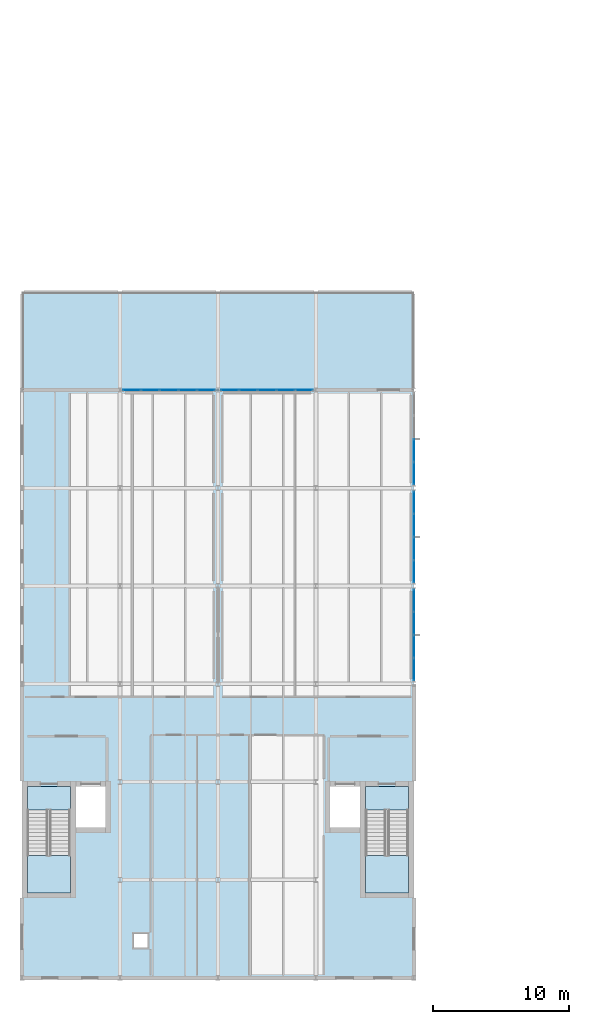
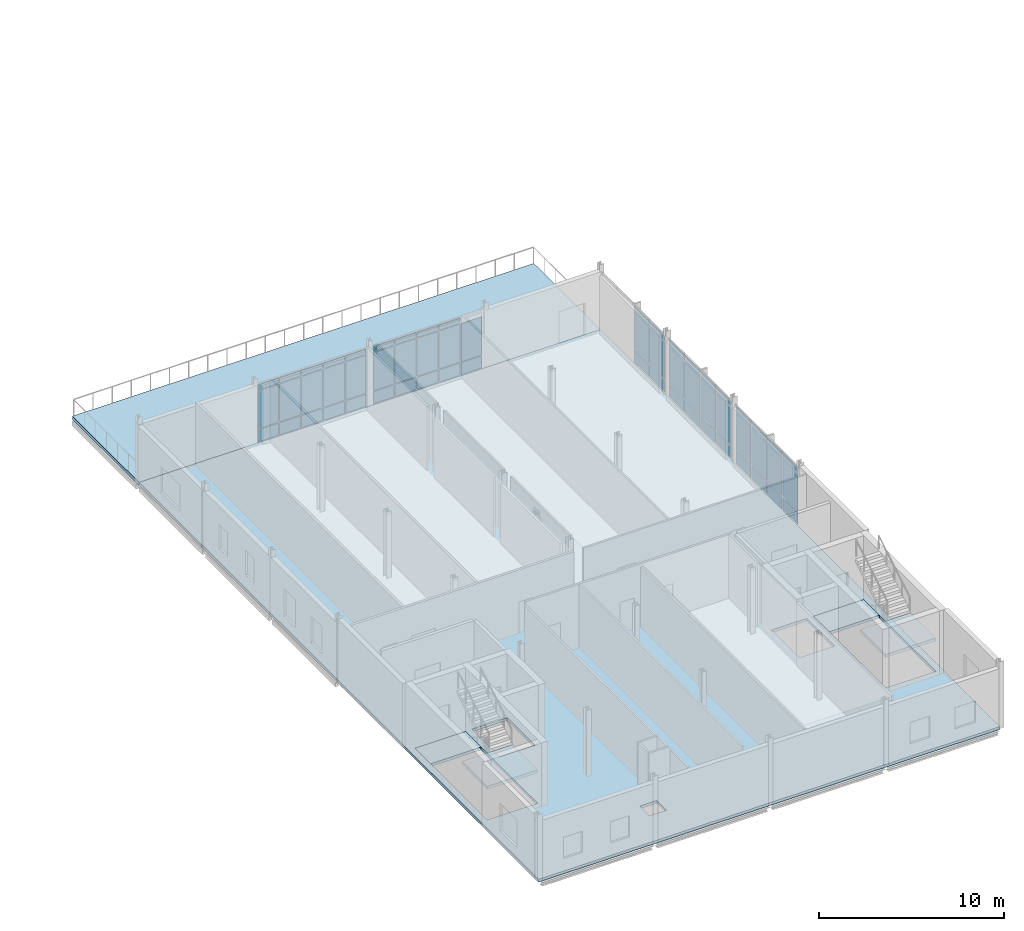
# One storey, part 11 of 21: 59 plates, 6 slabs, 7 elements without a shape of their own.
"""IFC4 building model written with IfcOpenShell, lengths in metres."""

from ifc_helpers import new_model, si_unit, direction, frame, origin, origin_2d, place, context, subcontext, project, spatial, polyline, rectangle, outline, extrude, material, layer, layer_set, type_object, element, aggregate, save


model = new_model("IFC4")

# Units and contexts
model_context = context("Model", 3, precision=1e-05, world=origin(), true_north=direction((0.0, 1.0)))
body_context = subcontext(model_context, "Body", "Model", "MODEL_VIEW")
ifc_project = project(units=[si_unit("LENGTHUNIT", "METRE"), si_unit("AREAUNIT", "SQUARE_METRE"), si_unit("VOLUMEUNIT", "CUBIC_METRE"), si_unit("PLANEANGLEUNIT", "RADIAN"), si_unit("MASSUNIT", "GRAM", prefix="KILO")], contexts=[model_context])

# Site, building, storey
site_placement = place(None, origin())
site = spatial("IfcSite", under=ifc_project, at=site_placement, CompositionType="ELEMENT")
building_placement = place(site_placement, origin())
building = spatial("IfcBuilding", under=site, at=building_placement, Name="Zarrinpeak Specialist Clinic", CompositionType="ELEMENT")
storey_placement = place(building_placement, frame((0.0, 0.0, 22.800048828125)))
storey = spatial("IfcBuildingStorey", under=building, at=storey_placement, Name="L05", CompositionType="ELEMENT", Elevation=22.800048828125)

# Curtain wall, plates
ifc_material_1 = material(Name="Anodised Aluminium Alloy 6063-T6", Category="aluminium")
ifc_layer_1 = layer(ifc_material_1, 0.1650390625)
ifc_layer_set_1 = layer_set([ifc_layer_1], Name="Anodised Aluminium Alloy 6063-T6")
curtain_wall_type_1 = type_object("IfcCurtainWallType", Name="CW-CLINIC", PredefinedType="NOTDEFINED", material=ifc_layer_set_1)
curtain_wall_1_placement = place(storey_placement, origin())
curtain_wall_1 = element("IfcCurtainWall", 1, at=curtain_wall_1_placement, inside=storey, type_object=curtain_wall_type_1, Name="L05 V1 Unitised Curtain Wall CW-L05-V1-031", PredefinedType="NOTDEFINED")
ifc_material_2 = material(Name="Double Low-E Insulated Glazing", Category="glass")
ifc_layer_2 = layer(ifc_material_2, 0.028076171875)
ifc_layer_set_2 = layer_set([ifc_layer_2], Name="Double Low-E Insulated Glazing")
plate_type = type_object("IfcPlateType", Name="CWP-GLZ28", PredefinedType="CURTAIN_PANEL", material=ifc_layer_set_2)
plate_1_placement = place(storey_placement, frame((13.529296875, 43.199951171875, 0.074951171875), z_axis=(0.0, 0.0, 1.0), x_axis=(-1.0, 0.0, 0.0)))
plate_1 = element("IfcPlate", 2, at=plate_1_placement, type_object=plate_type, Name="CW-03 panel 1.1", PredefinedType="CURTAIN_PANEL", context=body_context, shape_type="SweptSolid", body=[
    extrude(rectangle(XDim=1.261474609375, YDim=0.028076171875, at=origin_2d()), origin(), (0.0, 0.0, 1.0), 0.78759765625),
])
plate_2_placement = place(storey_placement, frame((13.529296875, 43.199951171875, 0.9375), z_axis=(0.0, 0.0, 1.0), x_axis=(-1.0, 0.0, 0.0)))
plate_2 = element("IfcPlate", 3, at=plate_2_placement, type_object=plate_type, Name="CW-03 panel 1.2", PredefinedType="CURTAIN_PANEL", context=body_context, shape_type="SweptSolid", body=[
    extrude(rectangle(XDim=1.261474609375, YDim=0.028076171875, at=origin_2d()), origin(), (0.0, 0.0, 1.0), 2.489990234375),
])
plate_3_placement = place(storey_placement, frame((13.529296875, 43.199951171875, 3.50244140625), z_axis=(0.0, 0.0, 1.0), x_axis=(-1.0, 0.0, 0.0)))
plate_3 = element("IfcPlate", 4, at=plate_3_placement, type_object=plate_type, Name="CW-03 panel 1.3", PredefinedType="CURTAIN_PANEL", context=body_context, shape_type="SweptSolid", body=[
    extrude(rectangle(XDim=1.261474609375, YDim=0.028076171875, at=origin_2d()), origin(), (0.0, 0.0, 1.0), 0.33740234375),
])
plate_4_placement = place(storey_placement, frame((12.174072265625, 43.199951171875, 0.074951171875), z_axis=(0.0, 0.0, 1.0), x_axis=(-1.0, 0.0, 0.0)))
plate_4 = element("IfcPlate", 5, at=plate_4_placement, type_object=plate_type, Name="CW-03 panel 2.1", PredefinedType="CURTAIN_PANEL", context=body_context, shape_type="SweptSolid", body=[
    extrude(rectangle(XDim=1.299072265625, YDim=0.028076171875, at=origin_2d()), origin(), (0.0, 0.0, 1.0), 0.78759765625),
])
plate_5_placement = place(storey_placement, frame((12.174072265625, 43.199951171875, 0.9375), z_axis=(0.0, 0.0, 1.0), x_axis=(-1.0, 0.0, 0.0)))
plate_5 = element("IfcPlate", 6, at=plate_5_placement, type_object=plate_type, Name="CW-03 panel 2.2", PredefinedType="CURTAIN_PANEL", context=body_context, shape_type="SweptSolid", body=[
    extrude(rectangle(XDim=1.299072265625, YDim=0.028076171875, at=origin_2d()), origin(), (0.0, 0.0, 1.0), 2.489990234375),
])
plate_6_placement = place(storey_placement, frame((12.174072265625, 43.199951171875, 3.50244140625), z_axis=(0.0, 0.0, 1.0), x_axis=(-1.0, 0.0, 0.0)))
plate_6 = element("IfcPlate", 7, at=plate_6_placement, type_object=plate_type, Name="CW-03 panel 2.3", PredefinedType="CURTAIN_PANEL", context=body_context, shape_type="SweptSolid", body=[
    extrude(rectangle(XDim=1.299072265625, YDim=0.028076171875, at=origin_2d()), origin(), (0.0, 0.0, 1.0), 0.33740234375),
])
plate_7_placement = place(storey_placement, frame((10.800048828125, 43.199951171875, 0.074951171875), z_axis=(0.0, 0.0, 1.0), x_axis=(-1.0, 0.0, 0.0)))
plate_7 = element("IfcPlate", 8, at=plate_7_placement, type_object=plate_type, Name="CW-03 panel 3.1", PredefinedType="CURTAIN_PANEL", context=body_context, shape_type="SweptSolid", body=[
    extrude(rectangle(XDim=1.299072265625, YDim=0.028076171875, at=origin_2d()), origin(), (0.0, 0.0, 1.0), 0.78759765625),
])
plate_8_placement = place(storey_placement, frame((10.800048828125, 43.199951171875, 0.9375), z_axis=(0.0, 0.0, 1.0), x_axis=(-1.0, 0.0, 0.0)))
plate_8 = element("IfcPlate", 9, at=plate_8_placement, type_object=plate_type, Name="CW-03 panel 3.2", PredefinedType="CURTAIN_PANEL", context=body_context, shape_type="SweptSolid", body=[
    extrude(rectangle(XDim=1.299072265625, YDim=0.028076171875, at=origin_2d()), origin(), (0.0, 0.0, 1.0), 2.489990234375),
])
plate_9_placement = place(storey_placement, frame((10.800048828125, 43.199951171875, 3.50244140625), z_axis=(0.0, 0.0, 1.0), x_axis=(-1.0, 0.0, 0.0)))
plate_9 = element("IfcPlate", 10, at=plate_9_placement, type_object=plate_type, Name="CW-03 panel 3.3", PredefinedType="CURTAIN_PANEL", context=body_context, shape_type="SweptSolid", body=[
    extrude(rectangle(XDim=1.299072265625, YDim=0.028076171875, at=origin_2d()), origin(), (0.0, 0.0, 1.0), 0.33740234375),
])
plate_10_placement = place(storey_placement, frame((9.426025390625, 43.199951171875, 0.074951171875), z_axis=(0.0, 0.0, 1.0), x_axis=(-1.0, 0.0, 0.0)))
plate_10 = element("IfcPlate", 11, at=plate_10_placement, type_object=plate_type, Name="CW-03 panel 4.1", PredefinedType="CURTAIN_PANEL", context=body_context, shape_type="SweptSolid", body=[
    extrude(rectangle(XDim=1.299072265625, YDim=0.028076171875, at=origin_2d()), origin(), (0.0, 0.0, 1.0), 0.78759765625),
])
plate_11_placement = place(storey_placement, frame((9.426025390625, 43.199951171875, 0.9375), z_axis=(0.0, 0.0, 1.0), x_axis=(-1.0, 0.0, 0.0)))
plate_11 = element("IfcPlate", 12, at=plate_11_placement, type_object=plate_type, Name="CW-03 panel 4.2", PredefinedType="CURTAIN_PANEL", context=body_context, shape_type="SweptSolid", body=[
    extrude(rectangle(XDim=1.299072265625, YDim=0.028076171875, at=origin_2d()), origin(), (0.0, 0.0, 1.0), 2.489990234375),
])
plate_12_placement = place(storey_placement, frame((9.426025390625, 43.199951171875, 3.50244140625), z_axis=(0.0, 0.0, 1.0), x_axis=(-1.0, 0.0, 0.0)))
plate_12 = element("IfcPlate", 13, at=plate_12_placement, type_object=plate_type, Name="CW-03 panel 4.3", PredefinedType="CURTAIN_PANEL", context=body_context, shape_type="SweptSolid", body=[
    extrude(rectangle(XDim=1.299072265625, YDim=0.028076171875, at=origin_2d()), origin(), (0.0, 0.0, 1.0), 0.33740234375),
])
plate_13_placement = place(storey_placement, frame((8.07080078125, 43.199951171875, 0.074951171875), z_axis=(0.0, 0.0, 1.0), x_axis=(-1.0, 0.0, 0.0)))
plate_13 = element("IfcPlate", 14, at=plate_13_placement, type_object=plate_type, Name="CW-03 panel 5.1", PredefinedType="CURTAIN_PANEL", context=body_context, shape_type="SweptSolid", body=[
    extrude(rectangle(XDim=1.261474609375, YDim=0.028076171875, at=origin_2d()), origin(), (0.0, 0.0, 1.0), 0.78759765625),
])
plate_14_placement = place(storey_placement, frame((8.07080078125, 43.199951171875, 0.9375), z_axis=(0.0, 0.0, 1.0), x_axis=(-1.0, 0.0, 0.0)))
plate_14 = element("IfcPlate", 15, at=plate_14_placement, type_object=plate_type, Name="CW-03 panel 5.2", PredefinedType="CURTAIN_PANEL", context=body_context, shape_type="SweptSolid", body=[
    extrude(rectangle(XDim=1.261474609375, YDim=0.028076171875, at=origin_2d()), origin(), (0.0, 0.0, 1.0), 2.489990234375),
])
plate_15_placement = place(storey_placement, frame((8.07080078125, 43.199951171875, 3.50244140625), z_axis=(0.0, 0.0, 1.0), x_axis=(-1.0, 0.0, 0.0)))
plate_15 = element("IfcPlate", 16, at=plate_15_placement, type_object=plate_type, Name="CW-03 panel 5.3", PredefinedType="CURTAIN_PANEL", context=body_context, shape_type="SweptSolid", body=[
    extrude(rectangle(XDim=1.261474609375, YDim=0.028076171875, at=origin_2d()), origin(), (0.0, 0.0, 1.0), 0.33740234375),
])
aggregate(curtain_wall_1, [plate_1, plate_2, plate_3, plate_4, plate_5, plate_6, plate_7, plate_8, plate_9, plate_10, plate_11, plate_12, plate_13, plate_14, plate_15])

curtain_wall_2_placement = place(storey_placement, origin())
curtain_wall_2 = element("IfcCurtainWall", 17, at=curtain_wall_2_placement, inside=storey, type_object=curtain_wall_type_1, Name="L05 V1 Unitised Curtain Wall CW-L05-V1-032", PredefinedType="NOTDEFINED")
plate_16_placement = place(storey_placement, frame((20.729248046875, 43.199951171875, 0.074951171875), z_axis=(0.0, 0.0, 1.0), x_axis=(-1.0, 0.0, 0.0)))
plate_16 = element("IfcPlate", 18, at=plate_16_placement, type_object=plate_type, Name="CW-03 panel 1.1", PredefinedType="CURTAIN_PANEL", context=body_context, shape_type="SweptSolid", body=[
    extrude(rectangle(XDim=1.261474609375, YDim=0.028076171875, at=origin_2d()), origin(), (0.0, 0.0, 1.0), 0.78759765625),
])
plate_17_placement = place(storey_placement, frame((20.729248046875, 43.199951171875, 0.9375), z_axis=(0.0, 0.0, 1.0), x_axis=(-1.0, 0.0, 0.0)))
plate_17 = element("IfcPlate", 19, at=plate_17_placement, type_object=plate_type, Name="CW-03 panel 1.2", PredefinedType="CURTAIN_PANEL", context=body_context, shape_type="SweptSolid", body=[
    extrude(rectangle(XDim=1.261474609375, YDim=0.028076171875, at=origin_2d()), origin(), (0.0, 0.0, 1.0), 2.489990234375),
])
plate_18_placement = place(storey_placement, frame((19.3740234375, 43.199951171875, 0.074951171875), z_axis=(0.0, 0.0, 1.0), x_axis=(-1.0, 0.0, 0.0)))
plate_18 = element("IfcPlate", 20, at=plate_18_placement, type_object=plate_type, Name="CW-03 panel 2.1", PredefinedType="CURTAIN_PANEL", context=body_context, shape_type="SweptSolid", body=[
    extrude(rectangle(XDim=1.299072265625, YDim=0.028076171875, at=origin_2d()), origin(), (0.0, 0.0, 1.0), 0.78759765625),
])
plate_19_placement = place(storey_placement, frame((19.3740234375, 43.199951171875, 0.9375), z_axis=(0.0, 0.0, 1.0), x_axis=(-1.0, 0.0, 0.0)))
plate_19 = element("IfcPlate", 21, at=plate_19_placement, type_object=plate_type, Name="CW-03 panel 2.2", PredefinedType="CURTAIN_PANEL", context=body_context, shape_type="SweptSolid", body=[
    extrude(rectangle(XDim=1.299072265625, YDim=0.028076171875, at=origin_2d()), origin(), (0.0, 0.0, 1.0), 2.489990234375),
])
plate_20_placement = place(storey_placement, frame((19.3740234375, 43.199951171875, 3.50244140625), z_axis=(0.0, 0.0, 1.0), x_axis=(-1.0, 0.0, 0.0)))
plate_20 = element("IfcPlate", 22, at=plate_20_placement, type_object=plate_type, Name="CW-03 panel 2.3", PredefinedType="CURTAIN_PANEL", context=body_context, shape_type="SweptSolid", body=[
    extrude(rectangle(XDim=1.299072265625, YDim=0.028076171875, at=origin_2d()), origin(), (0.0, 0.0, 1.0), 0.33740234375),
])
plate_21_placement = place(storey_placement, frame((18.0, 43.199951171875, 0.074951171875), z_axis=(0.0, 0.0, 1.0), x_axis=(-1.0, 0.0, 0.0)))
plate_21 = element("IfcPlate", 23, at=plate_21_placement, type_object=plate_type, Name="CW-03 panel 3.1", PredefinedType="CURTAIN_PANEL", context=body_context, shape_type="SweptSolid", body=[
    extrude(rectangle(XDim=1.299072265625, YDim=0.028076171875, at=origin_2d()), origin(), (0.0, 0.0, 1.0), 0.78759765625),
])
plate_22_placement = place(storey_placement, frame((18.0, 43.199951171875, 0.9375), z_axis=(0.0, 0.0, 1.0), x_axis=(-1.0, 0.0, 0.0)))
plate_22 = element("IfcPlate", 24, at=plate_22_placement, type_object=plate_type, Name="CW-03 panel 3.2", PredefinedType="CURTAIN_PANEL", context=body_context, shape_type="SweptSolid", body=[
    extrude(rectangle(XDim=1.299072265625, YDim=0.028076171875, at=origin_2d()), origin(), (0.0, 0.0, 1.0), 2.489990234375),
])
plate_23_placement = place(storey_placement, frame((18.0, 43.199951171875, 3.50244140625), z_axis=(0.0, 0.0, 1.0), x_axis=(-1.0, 0.0, 0.0)))
plate_23 = element("IfcPlate", 25, at=plate_23_placement, type_object=plate_type, Name="CW-03 panel 3.3", PredefinedType="CURTAIN_PANEL", context=body_context, shape_type="SweptSolid", body=[
    extrude(rectangle(XDim=1.299072265625, YDim=0.028076171875, at=origin_2d()), origin(), (0.0, 0.0, 1.0), 0.33740234375),
])
plate_24_placement = place(storey_placement, frame((16.6259765625, 43.199951171875, 0.074951171875), z_axis=(0.0, 0.0, 1.0), x_axis=(-1.0, 0.0, 0.0)))
plate_24 = element("IfcPlate", 26, at=plate_24_placement, type_object=plate_type, Name="CW-03 panel 4.1", PredefinedType="CURTAIN_PANEL", context=body_context, shape_type="SweptSolid", body=[
    extrude(rectangle(XDim=1.299072265625, YDim=0.028076171875, at=origin_2d()), origin(), (0.0, 0.0, 1.0), 0.78759765625),
])
plate_25_placement = place(storey_placement, frame((16.6259765625, 43.199951171875, 0.9375), z_axis=(0.0, 0.0, 1.0), x_axis=(-1.0, 0.0, 0.0)))
plate_25 = element("IfcPlate", 27, at=plate_25_placement, type_object=plate_type, Name="CW-03 panel 4.2", PredefinedType="CURTAIN_PANEL", context=body_context, shape_type="SweptSolid", body=[
    extrude(rectangle(XDim=1.299072265625, YDim=0.028076171875, at=origin_2d()), origin(), (0.0, 0.0, 1.0), 2.489990234375),
])
plate_26_placement = place(storey_placement, frame((16.6259765625, 43.199951171875, 3.50244140625), z_axis=(0.0, 0.0, 1.0), x_axis=(-1.0, 0.0, 0.0)))
plate_26 = element("IfcPlate", 28, at=plate_26_placement, type_object=plate_type, Name="CW-03 panel 4.3", PredefinedType="CURTAIN_PANEL", context=body_context, shape_type="SweptSolid", body=[
    extrude(rectangle(XDim=1.299072265625, YDim=0.028076171875, at=origin_2d()), origin(), (0.0, 0.0, 1.0), 0.33740234375),
])
plate_27_placement = place(storey_placement, frame((15.270751953125, 43.199951171875, 0.074951171875), z_axis=(0.0, 0.0, 1.0), x_axis=(-1.0, 0.0, 0.0)))
plate_27 = element("IfcPlate", 29, at=plate_27_placement, type_object=plate_type, Name="CW-03 panel 5.1", PredefinedType="CURTAIN_PANEL", context=body_context, shape_type="SweptSolid", body=[
    extrude(rectangle(XDim=1.261474609375, YDim=0.028076171875, at=origin_2d()), origin(), (0.0, 0.0, 1.0), 0.78759765625),
])
plate_28_placement = place(storey_placement, frame((15.270751953125, 43.199951171875, 0.9375), z_axis=(0.0, 0.0, 1.0), x_axis=(-1.0, 0.0, 0.0)))
plate_28 = element("IfcPlate", 30, at=plate_28_placement, type_object=plate_type, Name="CW-03 panel 5.2", PredefinedType="CURTAIN_PANEL", context=body_context, shape_type="SweptSolid", body=[
    extrude(rectangle(XDim=1.261474609375, YDim=0.028076171875, at=origin_2d()), origin(), (0.0, 0.0, 1.0), 2.489990234375),
])
plate_29_placement = place(storey_placement, frame((15.270751953125, 43.199951171875, 3.50244140625), z_axis=(0.0, 0.0, 1.0), x_axis=(-1.0, 0.0, 0.0)))
plate_29 = element("IfcPlate", 31, at=plate_29_placement, type_object=plate_type, Name="CW-03 panel 5.3", PredefinedType="CURTAIN_PANEL", context=body_context, shape_type="SweptSolid", body=[
    extrude(rectangle(XDim=1.261474609375, YDim=0.028076171875, at=origin_2d()), origin(), (0.0, 0.0, 1.0), 0.33740234375),
])
aggregate(curtain_wall_2, [plate_16, plate_17, plate_18, plate_19, plate_20, plate_21, plate_22, plate_23, plate_24, plate_25, plate_26, plate_27, plate_28, plate_29])

ifc_layer_3 = layer(ifc_material_1, 0.179931640625)
ifc_layer_set_3 = layer_set([ifc_layer_3], Name="Anodised Aluminium Alloy 6063-T6")
curtain_wall_type_2 = type_object("IfcCurtainWallType", Name="CW-COURT", PredefinedType="NOTDEFINED", material=ifc_layer_set_3)
curtain_wall_3_placement = place(storey_placement, origin())
curtain_wall_3 = element("IfcCurtainWall", 32, at=curtain_wall_3_placement, inside=storey, type_object=curtain_wall_type_2, Name="L05 V1 Unitised Curtain Wall CW-L05-V1-033", PredefinedType="NOTDEFINED")
plate_30_placement = place(storey_placement, frame((28.800048828125, 22.657470703125, 0.074951171875), z_axis=(0.0, 0.0, 1.0), x_axis=(0.0, 1.0, 0.0)))
plate_30 = element("IfcPlate", 33, at=plate_30_placement, type_object=plate_type, Name="CW-01 panel 1.1", PredefinedType="CURTAIN_PANEL", context=body_context, shape_type="SweptSolid", body=[
    extrude(rectangle(XDim=1.594970703125, YDim=0.028076171875, at=origin_2d()), origin(), (0.0, 0.0, 1.0), 0.78759765625),
])
plate_31_placement = place(storey_placement, frame((28.800048828125, 22.657470703125, 0.9375), z_axis=(0.0, 0.0, 1.0), x_axis=(0.0, 1.0, 0.0)))
plate_31 = element("IfcPlate", 34, at=plate_31_placement, type_object=plate_type, Name="CW-01 panel 1.2", PredefinedType="CURTAIN_PANEL", context=body_context, shape_type="SweptSolid", body=[
    extrude(rectangle(XDim=1.594970703125, YDim=0.028076171875, at=origin_2d()), origin(), (0.0, 0.0, 1.0), 2.47509765625),
])
plate_32_placement = place(storey_placement, frame((28.800048828125, 22.657470703125, 3.487548828125), z_axis=(0.0, 0.0, 1.0), x_axis=(0.0, 1.0, 0.0)))
plate_32 = element("IfcPlate", 35, at=plate_32_placement, type_object=plate_type, Name="CW-01 panel 1.3", PredefinedType="CURTAIN_PANEL", context=body_context, shape_type="SweptSolid", body=[
    extrude(rectangle(XDim=1.594970703125, YDim=0.028076171875, at=origin_2d()), origin(), (0.0, 0.0, 1.0), 0.33740234375),
])
plate_33_placement = place(storey_placement, frame((28.800048828125, 24.34619140625, 0.074951171875), z_axis=(0.0, 0.0, 1.0), x_axis=(0.0, 1.0, 0.0)))
plate_33 = element("IfcPlate", 36, at=plate_33_placement, type_object=plate_type, Name="CW-01 panel 2.1", PredefinedType="CURTAIN_PANEL", context=body_context, shape_type="SweptSolid", body=[
    extrude(rectangle(XDim=1.632568359375, YDim=0.028076171875, at=origin_2d()), origin(), (0.0, 0.0, 1.0), 0.78759765625),
])
plate_34_placement = place(storey_placement, frame((28.800048828125, 24.34619140625, 0.9375), z_axis=(0.0, 0.0, 1.0), x_axis=(0.0, 1.0, 0.0)))
plate_34 = element("IfcPlate", 37, at=plate_34_placement, type_object=plate_type, Name="CW-01 panel 2.2", PredefinedType="CURTAIN_PANEL", context=body_context, shape_type="SweptSolid", body=[
    extrude(rectangle(XDim=1.632568359375, YDim=0.028076171875, at=origin_2d()), origin(), (0.0, 0.0, 1.0), 2.47509765625),
])
plate_35_placement = place(storey_placement, frame((28.800048828125, 24.34619140625, 3.487548828125), z_axis=(0.0, 0.0, 1.0), x_axis=(0.0, 1.0, 0.0)))
plate_35 = element("IfcPlate", 38, at=plate_35_placement, type_object=plate_type, Name="CW-01 panel 2.3", PredefinedType="CURTAIN_PANEL", context=body_context, shape_type="SweptSolid", body=[
    extrude(rectangle(XDim=1.632568359375, YDim=0.028076171875, at=origin_2d()), origin(), (0.0, 0.0, 1.0), 0.33740234375),
])
plate_36_placement = place(storey_placement, frame((28.800048828125, 26.0537109375, 0.074951171875), z_axis=(0.0, 0.0, 1.0), x_axis=(0.0, 1.0, 0.0)))
plate_36 = element("IfcPlate", 39, at=plate_36_placement, type_object=plate_type, Name="CW-01 panel 3.1", PredefinedType="CURTAIN_PANEL", context=body_context, shape_type="SweptSolid", body=[
    extrude(rectangle(XDim=1.632568359375, YDim=0.028076171875, at=origin_2d()), origin(), (0.0, 0.0, 1.0), 0.78759765625),
])
plate_37_placement = place(storey_placement, frame((28.800048828125, 26.0537109375, 0.9375), z_axis=(0.0, 0.0, 1.0), x_axis=(0.0, 1.0, 0.0)))
plate_37 = element("IfcPlate", 40, at=plate_37_placement, type_object=plate_type, Name="CW-01 panel 3.2", PredefinedType="CURTAIN_PANEL", context=body_context, shape_type="SweptSolid", body=[
    extrude(rectangle(XDim=1.632568359375, YDim=0.028076171875, at=origin_2d()), origin(), (0.0, 0.0, 1.0), 2.47509765625),
])
plate_38_placement = place(storey_placement, frame((28.800048828125, 26.0537109375, 3.487548828125), z_axis=(0.0, 0.0, 1.0), x_axis=(0.0, 1.0, 0.0)))
plate_38 = element("IfcPlate", 41, at=plate_38_placement, type_object=plate_type, Name="CW-01 panel 3.3", PredefinedType="CURTAIN_PANEL", context=body_context, shape_type="SweptSolid", body=[
    extrude(rectangle(XDim=1.632568359375, YDim=0.028076171875, at=origin_2d()), origin(), (0.0, 0.0, 1.0), 0.33740234375),
])
plate_39_placement = place(storey_placement, frame((28.800048828125, 27.742431640625, 0.074951171875), z_axis=(0.0, 0.0, 1.0), x_axis=(0.0, 1.0, 0.0)))
plate_39 = element("IfcPlate", 42, at=plate_39_placement, type_object=plate_type, Name="CW-01 panel 4.1", PredefinedType="CURTAIN_PANEL", context=body_context, shape_type="SweptSolid", body=[
    extrude(rectangle(XDim=1.594970703125, YDim=0.028076171875, at=origin_2d()), origin(), (0.0, 0.0, 1.0), 0.78759765625),
])
plate_40_placement = place(storey_placement, frame((28.800048828125, 27.742431640625, 0.9375), z_axis=(0.0, 0.0, 1.0), x_axis=(0.0, 1.0, 0.0)))
plate_40 = element("IfcPlate", 43, at=plate_40_placement, type_object=plate_type, Name="CW-01 panel 4.2", PredefinedType="CURTAIN_PANEL", context=body_context, shape_type="SweptSolid", body=[
    extrude(rectangle(XDim=1.594970703125, YDim=0.028076171875, at=origin_2d()), origin(), (0.0, 0.0, 1.0), 2.47509765625),
])
plate_41_placement = place(storey_placement, frame((28.800048828125, 27.742431640625, 3.487548828125), z_axis=(0.0, 0.0, 1.0), x_axis=(0.0, 1.0, 0.0)))
plate_41 = element("IfcPlate", 44, at=plate_41_placement, type_object=plate_type, Name="CW-01 panel 4.3", PredefinedType="CURTAIN_PANEL", context=body_context, shape_type="SweptSolid", body=[
    extrude(rectangle(XDim=1.594970703125, YDim=0.028076171875, at=origin_2d()), origin(), (0.0, 0.0, 1.0), 0.33740234375),
])
aggregate(curtain_wall_3, [plate_30, plate_31, plate_32, plate_33, plate_34, plate_35, plate_36, plate_37, plate_38, plate_39, plate_40, plate_41])

curtain_wall_4_placement = place(storey_placement, origin())
curtain_wall_4 = element("IfcCurtainWall", 45, at=curtain_wall_4_placement, inside=storey, type_object=curtain_wall_type_2, Name="L05 V1 Unitised Curtain Wall CW-L05-V1-034", PredefinedType="NOTDEFINED")
plate_42_placement = place(storey_placement, frame((28.800048828125, 29.857421875, 0.074951171875), z_axis=(0.0, 0.0, 1.0), x_axis=(0.0, 1.0, 0.0)))
plate_42 = element("IfcPlate", 46, at=plate_42_placement, type_object=plate_type, Name="CW-01 panel 1.1", PredefinedType="CURTAIN_PANEL", context=body_context, shape_type="SweptSolid", body=[
    extrude(rectangle(XDim=1.594970703125, YDim=0.028076171875, at=origin_2d()), origin(), (0.0, 0.0, 1.0), 0.78759765625),
])
plate_43_placement = place(storey_placement, frame((28.800048828125, 29.857421875, 0.9375), z_axis=(0.0, 0.0, 1.0), x_axis=(0.0, 1.0, 0.0)))
plate_43 = element("IfcPlate", 47, at=plate_43_placement, type_object=plate_type, Name="CW-01 panel 1.2", PredefinedType="CURTAIN_PANEL", context=body_context, shape_type="SweptSolid", body=[
    extrude(rectangle(XDim=1.594970703125, YDim=0.028076171875, at=origin_2d()), origin(), (0.0, 0.0, 1.0), 2.47509765625),
])
plate_44_placement = place(storey_placement, frame((28.800048828125, 29.857421875, 3.487548828125), z_axis=(0.0, 0.0, 1.0), x_axis=(0.0, 1.0, 0.0)))
plate_44 = element("IfcPlate", 48, at=plate_44_placement, type_object=plate_type, Name="CW-01 panel 1.3", PredefinedType="CURTAIN_PANEL", context=body_context, shape_type="SweptSolid", body=[
    extrude(rectangle(XDim=1.594970703125, YDim=0.028076171875, at=origin_2d()), origin(), (0.0, 0.0, 1.0), 0.33740234375),
])
plate_45_placement = place(storey_placement, frame((28.800048828125, 31.546142578125, 0.074951171875), z_axis=(0.0, 0.0, 1.0), x_axis=(0.0, 1.0, 0.0)))
plate_45 = element("IfcPlate", 49, at=plate_45_placement, type_object=plate_type, Name="CW-01 panel 2.1", PredefinedType="CURTAIN_PANEL", context=body_context, shape_type="SweptSolid", body=[
    extrude(rectangle(XDim=1.632568359375, YDim=0.028076171875, at=origin_2d()), origin(), (0.0, 0.0, 1.0), 0.78759765625),
])
plate_46_placement = place(storey_placement, frame((28.800048828125, 31.546142578125, 0.9375), z_axis=(0.0, 0.0, 1.0), x_axis=(0.0, 1.0, 0.0)))
plate_46 = element("IfcPlate", 50, at=plate_46_placement, type_object=plate_type, Name="CW-01 panel 2.2", PredefinedType="CURTAIN_PANEL", context=body_context, shape_type="SweptSolid", body=[
    extrude(rectangle(XDim=1.632568359375, YDim=0.028076171875, at=origin_2d()), origin(), (0.0, 0.0, 1.0), 2.47509765625),
])
plate_47_placement = place(storey_placement, frame((28.800048828125, 31.546142578125, 3.487548828125), z_axis=(0.0, 0.0, 1.0), x_axis=(0.0, 1.0, 0.0)))
plate_47 = element("IfcPlate", 51, at=plate_47_placement, type_object=plate_type, Name="CW-01 panel 2.3", PredefinedType="CURTAIN_PANEL", context=body_context, shape_type="SweptSolid", body=[
    extrude(rectangle(XDim=1.632568359375, YDim=0.028076171875, at=origin_2d()), origin(), (0.0, 0.0, 1.0), 0.33740234375),
])
plate_48_placement = place(storey_placement, frame((28.800048828125, 33.253662109375, 0.074951171875), z_axis=(0.0, 0.0, 1.0), x_axis=(0.0, 1.0, 0.0)))
plate_48 = element("IfcPlate", 52, at=plate_48_placement, type_object=plate_type, Name="CW-01 panel 3.1", PredefinedType="CURTAIN_PANEL", context=body_context, shape_type="SweptSolid", body=[
    extrude(rectangle(XDim=1.632568359375, YDim=0.028076171875, at=origin_2d()), origin(), (0.0, 0.0, 1.0), 0.78759765625),
])
plate_49_placement = place(storey_placement, frame((28.800048828125, 33.253662109375, 0.9375), z_axis=(0.0, 0.0, 1.0), x_axis=(0.0, 1.0, 0.0)))
plate_49 = element("IfcPlate", 53, at=plate_49_placement, type_object=plate_type, Name="CW-01 panel 3.2", PredefinedType="CURTAIN_PANEL", context=body_context, shape_type="SweptSolid", body=[
    extrude(rectangle(XDim=1.632568359375, YDim=0.028076171875, at=origin_2d()), origin(), (0.0, 0.0, 1.0), 2.47509765625),
])
plate_50_placement = place(storey_placement, frame((28.800048828125, 33.253662109375, 3.487548828125), z_axis=(0.0, 0.0, 1.0), x_axis=(0.0, 1.0, 0.0)))
plate_50 = element("IfcPlate", 54, at=plate_50_placement, type_object=plate_type, Name="CW-01 panel 3.3", PredefinedType="CURTAIN_PANEL", context=body_context, shape_type="SweptSolid", body=[
    extrude(rectangle(XDim=1.632568359375, YDim=0.028076171875, at=origin_2d()), origin(), (0.0, 0.0, 1.0), 0.33740234375),
])
plate_51_placement = place(storey_placement, frame((28.800048828125, 34.9423828125, 0.074951171875), z_axis=(0.0, 0.0, 1.0), x_axis=(0.0, 1.0, 0.0)))
plate_51 = element("IfcPlate", 55, at=plate_51_placement, type_object=plate_type, Name="CW-01 panel 4.1", PredefinedType="CURTAIN_PANEL", context=body_context, shape_type="SweptSolid", body=[
    extrude(rectangle(XDim=1.594970703125, YDim=0.028076171875, at=origin_2d()), origin(), (0.0, 0.0, 1.0), 0.78759765625),
])
plate_52_placement = place(storey_placement, frame((28.800048828125, 34.9423828125, 0.9375), z_axis=(0.0, 0.0, 1.0), x_axis=(0.0, 1.0, 0.0)))
plate_52 = element("IfcPlate", 56, at=plate_52_placement, type_object=plate_type, Name="CW-01 panel 4.2", PredefinedType="CURTAIN_PANEL", context=body_context, shape_type="SweptSolid", body=[
    extrude(rectangle(XDim=1.594970703125, YDim=0.028076171875, at=origin_2d()), origin(), (0.0, 0.0, 1.0), 2.47509765625),
])
plate_53_placement = place(storey_placement, frame((28.800048828125, 34.9423828125, 3.487548828125), z_axis=(0.0, 0.0, 1.0), x_axis=(0.0, 1.0, 0.0)))
plate_53 = element("IfcPlate", 57, at=plate_53_placement, type_object=plate_type, Name="CW-01 panel 4.3", PredefinedType="CURTAIN_PANEL", context=body_context, shape_type="SweptSolid", body=[
    extrude(rectangle(XDim=1.594970703125, YDim=0.028076171875, at=origin_2d()), origin(), (0.0, 0.0, 1.0), 0.33740234375),
])
aggregate(curtain_wall_4, [plate_42, plate_43, plate_44, plate_45, plate_46, plate_47, plate_48, plate_49, plate_50, plate_51, plate_52, plate_53])

curtain_wall_5_placement = place(storey_placement, origin())
curtain_wall_5 = element("IfcCurtainWall", 58, at=curtain_wall_5_placement, inside=storey, type_object=curtain_wall_type_2, Name="L05 V1 Unitised Curtain Wall CW-L05-V1-035", PredefinedType="NOTDEFINED")
plate_54_placement = place(storey_placement, frame((28.800048828125, 37.06005859375, 0.074951171875), z_axis=(0.0, 0.0, 1.0), x_axis=(0.0, 1.0, 0.0)))
plate_54 = element("IfcPlate", 59, at=plate_54_placement, type_object=plate_type, Name="CW-01 panel 1.1", PredefinedType="CURTAIN_PANEL", context=body_context, shape_type="SweptSolid", body=[
    extrude(rectangle(XDim=1.60009765625, YDim=0.028076171875, at=origin_2d()), origin(), (0.0, 0.0, 1.0), 0.78759765625),
])
plate_55_placement = place(storey_placement, frame((28.800048828125, 37.06005859375, 0.9375), z_axis=(0.0, 0.0, 1.0), x_axis=(0.0, 1.0, 0.0)))
plate_55 = element("IfcPlate", 60, at=plate_55_placement, type_object=plate_type, Name="CW-01 panel 1.2", PredefinedType="CURTAIN_PANEL", context=body_context, shape_type="SweptSolid", body=[
    extrude(rectangle(XDim=1.60009765625, YDim=0.028076171875, at=origin_2d()), origin(), (0.0, 0.0, 1.0), 2.43994140625),
])
plate_56_placement = place(storey_placement, frame((28.800048828125, 37.06005859375, 3.452392578125), z_axis=(0.0, 0.0, 1.0), x_axis=(0.0, 1.0, 0.0)))
plate_56 = element("IfcPlate", 61, at=plate_56_placement, type_object=plate_type, Name="CW-01 panel 1.3", PredefinedType="CURTAIN_PANEL", context=body_context, shape_type="SweptSolid", body=[
    extrude(rectangle(XDim=1.60009765625, YDim=0.028076171875, at=origin_2d()), origin(), (0.0, 0.0, 1.0), 0.33740234375),
])
plate_57_placement = place(storey_placement, frame((28.800048828125, 38.753662109375, 0.074951171875), z_axis=(0.0, 0.0, 1.0), x_axis=(0.0, 1.0, 0.0)))
plate_57 = element("IfcPlate", 62, at=plate_57_placement, type_object=plate_type, Name="CW-01 panel 2.1", PredefinedType="CURTAIN_PANEL", context=body_context, shape_type="SweptSolid", body=[
    extrude(rectangle(XDim=1.637451171875, YDim=0.028076171875, at=origin_2d()), origin(), (0.0, 0.0, 1.0), 0.78759765625),
])
plate_58_placement = place(storey_placement, frame((28.800048828125, 38.753662109375, 0.9375), z_axis=(0.0, 0.0, 1.0), x_axis=(0.0, 1.0, 0.0)))
plate_58 = element("IfcPlate", 63, at=plate_58_placement, type_object=plate_type, Name="CW-01 panel 2.2", PredefinedType="CURTAIN_PANEL", context=body_context, shape_type="SweptSolid", body=[
    extrude(rectangle(XDim=1.637451171875, YDim=0.028076171875, at=origin_2d()), origin(), (0.0, 0.0, 1.0), 2.43994140625),
])
plate_59_placement = place(storey_placement, frame((28.800048828125, 38.753662109375, 3.452392578125), z_axis=(0.0, 0.0, 1.0), x_axis=(0.0, 1.0, 0.0)))
plate_59 = element("IfcPlate", 64, at=plate_59_placement, type_object=plate_type, Name="CW-01 panel 2.3", PredefinedType="CURTAIN_PANEL", context=body_context, shape_type="SweptSolid", body=[
    extrude(rectangle(XDim=1.637451171875, YDim=0.028076171875, at=origin_2d()), origin(), (0.0, 0.0, 1.0), 0.33740234375),
])
aggregate(curtain_wall_5, [plate_54, plate_55, plate_56, plate_57, plate_58, plate_59])

# Slabs
ifc_material_3 = material(Name="Concrete C35/45", Category="concrete")
ifc_layer_4 = layer(ifc_material_3, 0.18505859375)
ifc_layer_set_4 = layer_set([ifc_layer_4], Name="Concrete C35/45")
slab_type_1 = type_object("IfcSlabType", Name="SL-FLR185", PredefinedType="FLOOR", material=ifc_layer_set_4)
slab_1_placement = place(storey_placement, frame((0.0, 0.0, -0.18505859375)))
element("IfcSlab", 65, at=slab_1_placement, inside=storey, type_object=slab_type_1, Name="L05 Suspended Clinical Floor Slab V1", PredefinedType="FLOOR", context=body_context, shape_type="SweptSolid", body=[
    extrude(outline(polyline([(0.0, 0.0), (28.800048828125, 0.0), (28.800048828125, 43.199951171875), (0.0, 43.199951171875), (0.0, 0.0)]), holes=[polyline([(0.39990234375, 6.25), (3.550048828125, 6.25), (3.550048828125, 14.050048828125), (0.39990234375, 14.050048828125), (0.39990234375, 6.25)]), polyline([(3.949951171875, 11.050048828125), (6.14990234375, 11.050048828125), (6.14990234375, 14.050048828125), (3.949951171875, 14.050048828125), (3.949951171875, 11.050048828125)]), polyline([(25.25, 6.25), (28.39990234375, 6.25), (28.39990234375, 14.050048828125), (25.25, 14.050048828125), (25.25, 6.25)]), polyline([(22.64990234375, 11.050048828125), (24.85009765625, 11.050048828125), (24.85009765625, 14.050048828125), (22.64990234375, 14.050048828125), (22.64990234375, 11.050048828125)]), polyline([(8.199951171875, 2.199951171875), (9.25, 2.199951171875), (9.25, 3.25), (8.199951171875, 3.25), (8.199951171875, 2.199951171875)])]), origin(), (0.0, 0.0, 1.0), 0.18505859375),
])
slab_2_placement = place(storey_placement, frame((0.0, 0.0, -0.18505859375)))
element("IfcSlab", 66, at=slab_2_placement, inside=storey, type_object=slab_type_1, Name="L05 Core C01 Stairwell Floor Landing Slab", PredefinedType="FLOOR", context=body_context, shape_type="SweptSolid", body=[
    extrude(outline(polyline([(0.39990234375, 12.35009765625), (3.550048828125, 12.35009765625), (3.550048828125, 14.050048828125), (0.39990234375, 14.050048828125), (0.39990234375, 12.35009765625)])), origin(), (0.0, 0.0, 1.0), 0.18505859375),
])
slab_3_placement = place(storey_placement, frame((0.0, 0.0, -0.18505859375)))
element("IfcSlab", 67, at=slab_3_placement, inside=storey, type_object=slab_type_1, Name="L05 Core C02 Stairwell Floor Landing Slab", PredefinedType="FLOOR", context=body_context, shape_type="SweptSolid", body=[
    extrude(outline(polyline([(25.25, 12.35009765625), (28.39990234375, 12.35009765625), (28.39990234375, 14.050048828125), (25.25, 14.050048828125), (25.25, 12.35009765625)])), origin(), (0.0, 0.0, 1.0), 0.18505859375),
])

# Stair, slab
stair_type = type_object("IfcStairType", Name="ST-DOG", PredefinedType="HALF_TURN_STAIR", material=ifc_material_3)
stair_1_placement = place(storey_placement, origin())
stair_1 = element("IfcStair", 68, at=stair_1_placement, inside=storey, type_object=stair_type, Name="L05 Protected Exit Stair ST-01", PredefinedType="HALF_TURN_STAIR")
ifc_layer_5 = layer(ifc_material_3, 0.199951171875)
ifc_layer_set_5 = layer_set([ifc_layer_5], Name="Concrete C35/45")
slab_type_2 = type_object("IfcSlabType", Name="SL-LAND200", PredefinedType="LANDING", material=ifc_layer_set_5)
slab_4_placement = place(storey_placement, frame((0.0, 0.0, 2.0)))
slab_4 = element("IfcSlab", 69, at=slab_4_placement, type_object=slab_type_2, Name="ST-01 landing 1", PredefinedType="LANDING", context=body_context, shape_type="SweptSolid", body=[
    extrude(outline(polyline([(0.39990234375, 8.989990234375), (0.39990234375, 6.25), (3.550048828125, 6.25), (3.550048828125, 8.989990234375), (0.39990234375, 8.989990234375)])), origin(), (0.0, 0.0, 1.0), 0.199951171875),
])
aggregate(stair_1, [slab_4])

stair_2_placement = place(storey_placement, origin())
stair_2 = element("IfcStair", 70, at=stair_2_placement, inside=storey, type_object=stair_type, Name="L05 Protected Exit Stair ST-02", PredefinedType="HALF_TURN_STAIR")
slab_5_placement = place(storey_placement, frame((0.0, 0.0, 2.0)))
slab_5 = element("IfcSlab", 71, at=slab_5_placement, type_object=slab_type_2, Name="ST-02 landing 1", PredefinedType="LANDING", context=body_context, shape_type="SweptSolid", body=[
    extrude(outline(polyline([(25.25, 8.989990234375), (25.25, 6.25), (28.39990234375, 6.25), (28.39990234375, 8.989990234375), (25.25, 8.989990234375)])), origin(), (0.0, 0.0, 1.0), 0.199951171875),
])
aggregate(stair_2, [slab_5])

# Slab
ifc_layer_6 = layer(ifc_material_3, 0.219970703125)
ifc_layer_set_6 = layer_set([ifc_layer_6], Name="Concrete C35/45")
slab_type_3 = type_object("IfcSlabType", Name="SL-TER220", PredefinedType="FLOOR", material=ifc_layer_set_6)
slab_6_placement = place(storey_placement, frame((0.0, 0.0, -0.219970703125)))
element("IfcSlab", 72, at=slab_6_placement, inside=storey, type_object=slab_type_3, Name="L05 Healing Roof Terrace Slab V1", PredefinedType="FLOOR", context=body_context, shape_type="SweptSolid", body=[
    extrude(outline(polyline([(0.0, 43.199951171875), (28.800048828125, 43.199951171875), (28.800048828125, 50.39990234375), (0.0, 50.39990234375), (0.0, 43.199951171875)])), origin(), (0.0, 0.0, 1.0), 0.219970703125),
])

save(model, "model.ifc")
